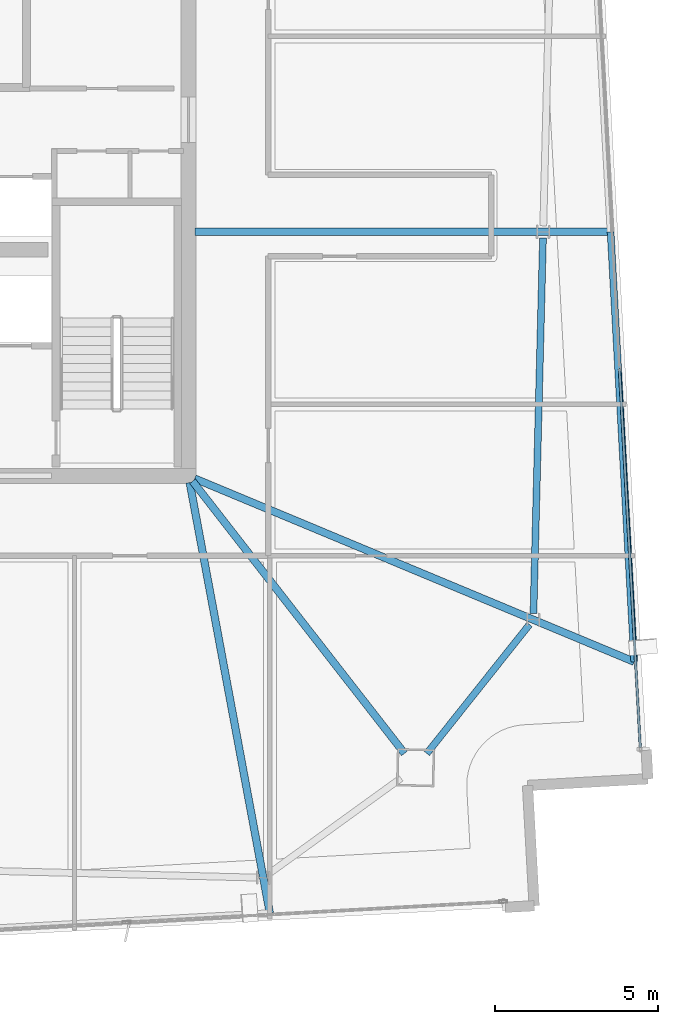
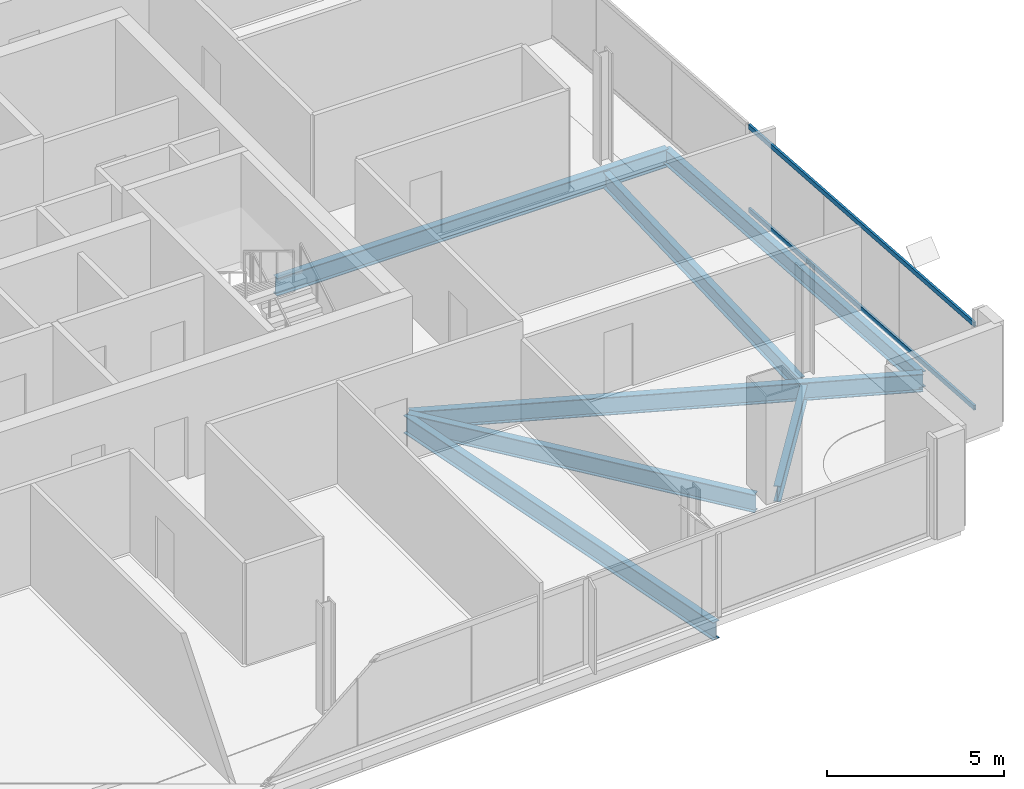
# One storey, part 9 of 23: 7 beams, 2 members, 1 element without a shape of its own.
"""IFC4 building model written with IfcOpenShell, lengths in metres."""

from ifc_helpers import new_model, si_unit, direction, frame, origin, origin_2d, place, context, subcontext, project, spatial, hollow_rectangle, i_section, extrude, material, material_profile, profile_set, type_object, element, aggregate, save


model = new_model("IFC4")

# Units and contexts
model_context = context("Model", 3, precision=1e-05, world=origin(), true_north=direction((0.0, 1.0)))
body_context = subcontext(model_context, "Body", "Model", "MODEL_VIEW")
ifc_project = project(units=[si_unit("LENGTHUNIT", "METRE"), si_unit("AREAUNIT", "SQUARE_METRE"), si_unit("VOLUMEUNIT", "CUBIC_METRE"), si_unit("PLANEANGLEUNIT", "RADIAN"), si_unit("MASSUNIT", "GRAM", prefix="KILO")], contexts=[model_context])

# Site, building, storey
site_placement = place(None, origin())
site = spatial("IfcSite", under=ifc_project, at=site_placement, CompositionType="ELEMENT")
building_placement = place(site_placement, origin())
building = spatial("IfcBuilding", under=site, at=building_placement, Name="Haldenkirk Collegiate Tower", CompositionType="ELEMENT")
storey_placement = place(building_placement, frame((0.0, 0.0, 340.199951171875)))
storey = spatial("IfcBuildingStorey", under=building, at=storey_placement, Name="L86", CompositionType="ELEMENT", Elevation=340.199951171875)

# Beams
ifc_material_1 = material(Name="Steel ASTM A992 Grade 50", Category="steel")
ifc_material_profile_1 = material_profile(ifc_material_1, i_section(OverallWidth=0.22998046875, OverallDepth=0.616943359375, WebThickness=0.01318359375, FlangeThickness=0.022216796875, at=origin_2d()), Name="W24X94")
ifc_profile_set_1 = profile_set([ifc_material_profile_1], Name="Steel ASTM A992 Grade 50")
beam_type_1 = type_object("IfcBeamType", Name="BM-GIRDER-W24X94", PredefinedType="BEAM", material=ifc_profile_set_1)
beam_1_placement = place(storey_placement, frame((51.635009765625, 9.478271484375, -0.568359375), z_axis=(-0.614347328176, 0.789035715518, 0.0), x_axis=(-0.789035715518, -0.614347328176, 0.0)))
element("IfcBeam", 1, at=beam_1_placement, inside=storey, type_object=beam_type_1, Name="L86 primary floor girder 01", PredefinedType="BEAM", context=body_context, shape_type="SweptSolid", body=[
    extrude(i_section(OverallWidth=0.22998046875, OverallDepth=0.616943359375, WebThickness=0.01318359375, FlangeThickness=0.022216796875, at=origin_2d()), origin(), (0.0, 0.0, 1.0), 10.594970703125),
])
beam_2_placement = place(storey_placement, frame((58.692626953125, 12.291748046875, -0.568359375), z_axis=(-0.923004823265, 0.3847883785, 0.0), x_axis=(-0.3847883785, -0.923004823265, 0.0)))
element("IfcBeam", 2, at=beam_2_placement, inside=storey, type_object=beam_type_1, Name="L86 primary floor girder 05", PredefinedType="BEAM", context=body_context, shape_type="SweptSolid", body=[
    extrude(i_section(OverallWidth=0.22998046875, OverallDepth=0.616943359375, WebThickness=0.01318359375, FlangeThickness=0.022216796875, at=origin_2d()), origin(), (0.0, 0.0, 1.0), 14.6298828125),
])
beam_3_placement = place(storey_placement, frame((57.9658203125, 25.496337890625, -0.568359375), z_axis=(-1.0, 0.0, 0.0), x_axis=(0.0, -1.0, 0.0)))
element("IfcBeam", 3, at=beam_3_placement, inside=storey, type_object=beam_type_1, Name="L86 primary floor girder 06", PredefinedType="BEAM", context=body_context, shape_type="SweptSolid", body=[
    extrude(i_section(OverallWidth=0.22998046875, OverallDepth=0.616943359375, WebThickness=0.01318359375, FlangeThickness=0.022216796875, at=origin_2d()), origin(), (0.0, 0.0, 1.0), 12.7607421875),
])
beam_4_placement = place(storey_placement, frame((47.49951171875, 4.569580078125, -0.568359375), z_axis=(-0.182958486167, 0.983120639769, 0.0), x_axis=(-0.983120639769, -0.182958486167, 0.0)))
element("IfcBeam", 4, at=beam_4_placement, inside=storey, type_object=beam_type_1, Name="L86 primary floor girder 16", PredefinedType="BEAM", context=body_context, shape_type="SweptSolid", body=[
    extrude(i_section(OverallWidth=0.22998046875, OverallDepth=0.616943359375, WebThickness=0.01318359375, FlangeThickness=0.022216796875, at=origin_2d()), origin(), (0.0, 0.0, 1.0), 13.4560546875),
])
ifc_material_profile_2 = material_profile(ifc_material_1, i_section(OverallWidth=0.2099609375, OverallDepth=0.537109375, WebThickness=0.010986328125, FlangeThickness=0.017333984375, at=origin_2d()), Name="W21X68")
ifc_profile_set_2 = profile_set([ifc_material_profile_2], Name="Steel ASTM A992 Grade 50")
beam_type_2 = type_object("IfcBeamType", Name="BM-SPANDREL-W21X68", PredefinedType="SPANDREL", material=ifc_profile_set_2)
beam_5_placement = place(storey_placement, frame((52.321533203125, 9.474609375, -0.528564453125), z_axis=(0.622700032294, 0.782460650628, 0.0), x_axis=(-0.782460650628, 0.622700032294, 0.0)))
element("IfcBeam", 5, at=beam_5_placement, inside=storey, type_object=beam_type_2, Name="L86 perimeter spandrel beam 01", PredefinedType="SPANDREL", context=body_context, shape_type="SweptSolid", body=[
    extrude(i_section(OverallWidth=0.2099609375, OverallDepth=0.537109375, WebThickness=0.010986328125, FlangeThickness=0.017333984375, at=origin_2d()), origin(), (0.0, 0.0, 1.0), 5.064453125),
])
beam_6_placement = place(storey_placement, frame((55.596923828125, 13.772216796875, -0.528564453125), z_axis=(0.025302458902, 0.999679841536, 0.0), x_axis=(-0.999679841536, 0.025302458902, 0.0)))
element("IfcBeam", 6, at=beam_6_placement, inside=storey, type_object=beam_type_2, Name="L86 perimeter spandrel beam 02", PredefinedType="SPANDREL", context=body_context, shape_type="SweptSolid", body=[
    extrude(i_section(OverallWidth=0.2099609375, OverallDepth=0.537109375, WebThickness=0.010986328125, FlangeThickness=0.017333984375, at=origin_2d()), origin(), (0.0, 0.0, 1.0), 11.5400390625),
])
beam_7_placement = place(storey_placement, frame((58.692626953125, 12.291748046875, -0.528564453125), z_axis=(-0.054958781086, 0.998488624062, 0.0), x_axis=(-0.998488624062, -0.054958781086, 0.0)))
element("IfcBeam", 7, at=beam_7_placement, inside=storey, type_object=beam_type_2, Name="L86 outer facade edge beam 1A", PredefinedType="SPANDREL", context=body_context, shape_type="SweptSolid", body=[
    extrude(i_section(OverallWidth=0.2099609375, OverallDepth=0.537109375, WebThickness=0.010986328125, FlangeThickness=0.017333984375, at=origin_2d()), origin(), (0.0, 0.0, 1.0), 13.224609375),
])

# Curtain wall, members
ifc_material_2 = material(Name="Anodised architectural bronze aluminium", Category="aluminium")
curtain_wall_type = type_object("IfcCurtainWallType", Name="CW-SYS2-CONCAVE", PredefinedType="USERDEFINED", material=ifc_material_2)
curtain_wall_placement = place(storey_placement, origin())
curtain_wall = element("IfcCurtainWall", 8, at=curtain_wall_placement, inside=storey, type_object=curtain_wall_type, Name="L86 South concave recessed bronze-anodised curtain wall", ObjectType="UNITISED CURTAIN WALL", PredefinedType="USERDEFINED")
ifc_material_profile_3 = material_profile(ifc_material_2, hollow_rectangle(XDim=0.074951171875, YDim=0.159912109375, WallThickness=0.0048828125, at=origin_2d()), Name="CW-TRN-02")
ifc_profile_set_3 = profile_set([ifc_material_profile_3], Name="Anodised architectural bronze aluminium")
member_type = type_object("IfcMemberType", Name="CW-TRN-02", PredefinedType="USERDEFINED", material=ifc_profile_set_3)
member_1_placement = place(storey_placement, frame((58.2373046875, 21.2939453125, 0.03759765625), z_axis=(0.054949060366, -0.998489159062, 0.0), x_axis=(0.998489159062, 0.054949060366, 0.0)))
member_1 = element("IfcMember", 9, at=member_1_placement, type_object=member_type, Name="CW-02 transom 3.1", ObjectType="TRANSOM", PredefinedType="USERDEFINED", context=body_context, shape_type="SweptSolid", body=[
    extrude(hollow_rectangle(XDim=0.074951171875, YDim=0.159912109375, WallThickness=0.0048828125, at=origin_2d()), origin(), (0.0, 0.0, 1.0), 11.654052734375),
])
member_2_placement = place(storey_placement, frame((58.2373046875, 21.2939453125, 2.91064453125), z_axis=(0.054949060366, -0.998489159062, 0.0), x_axis=(0.998489159062, 0.054949060366, 0.0)))
member_2 = element("IfcMember", 10, at=member_2_placement, type_object=member_type, Name="CW-02 transom 3.2", ObjectType="TRANSOM", PredefinedType="USERDEFINED", context=body_context, shape_type="SweptSolid", body=[
    extrude(hollow_rectangle(XDim=0.074951171875, YDim=0.159912109375, WallThickness=0.0048828125, at=origin_2d()), origin(), (0.0, 0.0, 1.0), 11.654052734375),
])
aggregate(curtain_wall, [member_1, member_2])

save(model, "model.ifc")
